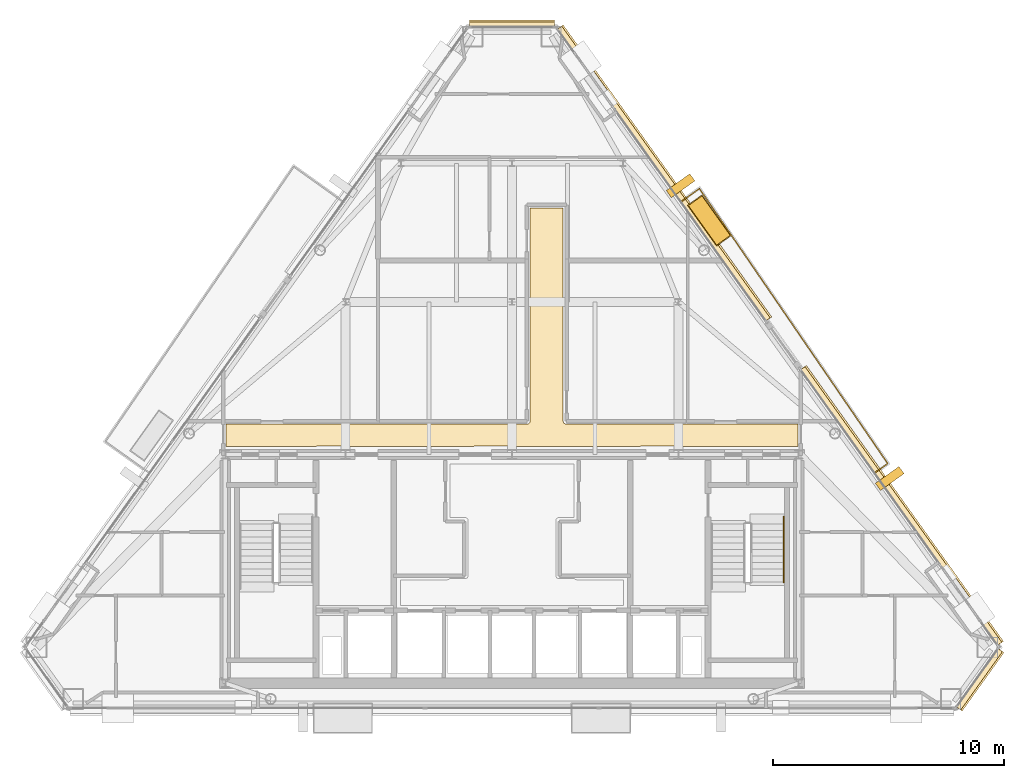
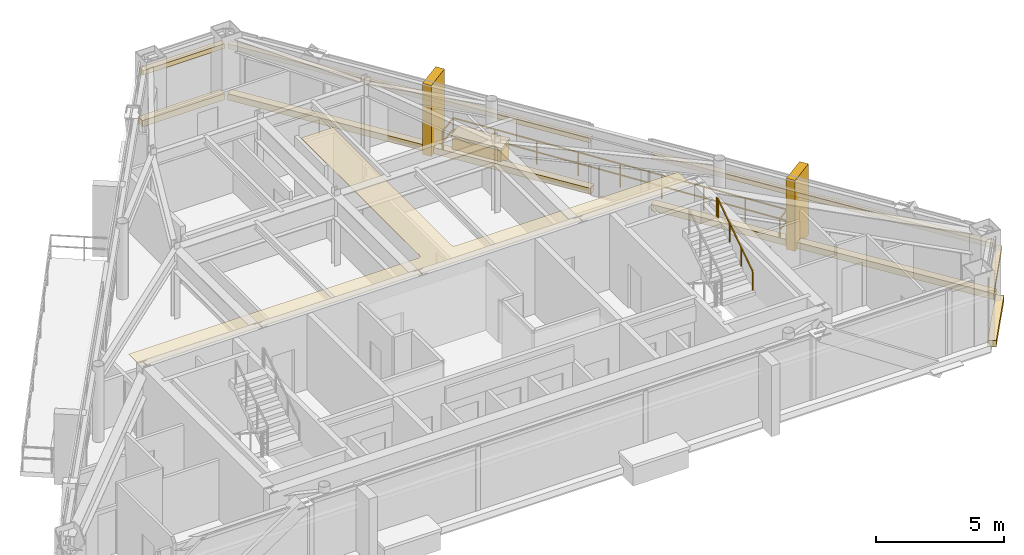
# One storey, part 12 of 12: 13 coverings, 2 railings.
"""IFC4 building model written with IfcOpenShell, lengths in metres."""

from ifc_helpers import new_model, si_unit, direction, frame, origin, origin_2d, place, context, subcontext, project, spatial, polyline, rectangle, outline, extrude, material, layer, layer_set, type_object, element, save


model = new_model("IFC4")

# Units and contexts
model_context = context("Model", 3, precision=1e-05, world=origin(), true_north=direction((0.0, 1.0)))
body_context = subcontext(model_context, "Body", "Model", "MODEL_VIEW")
ifc_project = project(units=[si_unit("LENGTHUNIT", "METRE"), si_unit("AREAUNIT", "SQUARE_METRE"), si_unit("VOLUMEUNIT", "CUBIC_METRE"), si_unit("PLANEANGLEUNIT", "RADIAN"), si_unit("MASSUNIT", "GRAM", prefix="KILO")], contexts=[model_context])

# Site, building, storey
site_placement = place(None, origin())
site = spatial("IfcSite", under=ifc_project, at=site_placement, CompositionType="ELEMENT")
building_placement = place(site_placement, origin())
building = spatial("IfcBuilding", under=site, at=building_placement, Name="Talgorran Terracotta Tower", CompositionType="ELEMENT")
storey_placement = place(building_placement, frame((0.0, 0.0, 281.39990234375)))
storey = spatial("IfcBuildingStorey", under=building, at=storey_placement, Name="L74", CompositionType="ELEMENT", Elevation=281.39990234375)

# Coverings
ifc_material_1 = material(Name="Kiln-Fired Terracotta Ochre Ceramic", Category="masonry")
ifc_layer_1 = layer(ifc_material_1, 0.179931640625, Name="COV_BAGUETTE_TERRACOTTA_SCREEN")
ifc_layer_set_1 = layer_set([ifc_layer_1], Name="Kiln-Fired Terracotta Ochre Ceramic")
covering_type_1 = type_object("IfcCoveringType", Name="COV_BAGUETTE_TERRACOTTA_SCREEN", PredefinedType="CLADDING", material=ifc_layer_set_1)
covering_1_placement = place(storey_placement, frame((20.2119140625, -13.916748046875, 2.41015625), z_axis=(0.0, 0.0, 1.0), x_axis=(0.581256971997, 0.813720057824, 0.0)))
element("IfcCovering", 1, at=covering_1_placement, inside=storey, type_object=covering_type_1, Name="L74 Terracotta Baguette Solar Screen Assembly F2", PredefinedType="CLADDING", context=body_context, shape_type="SweptSolid", body=[
    extrude(rectangle(XDim=3.093994140625, YDim=0.260009765625, at=origin_2d()), origin(), (0.0, 0.0, 1.0), 0.219970703125),
])
covering_2_placement = place(storey_placement, frame((16.831298828125, -6.4365234375, 2.41015625), z_axis=(0.0, 0.0, 1.0), x_axis=(-0.581242769814, 0.813730202548, 0.0)))
element("IfcCovering", 2, at=covering_2_placement, inside=storey, type_object=covering_type_1, Name="L74 Terracotta Baguette Solar Screen Assembly F40", PredefinedType="CLADDING", context=body_context, shape_type="SweptSolid", body=[
    extrude(rectangle(XDim=14.6455078125, YDim=0.260009765625, at=origin_2d()), origin(), (0.0, 0.0, 1.0), 0.219970703125),
])
covering_3_placement = place(storey_placement, frame((6.556396484375, 7.947998046875, 2.41015625), z_axis=(0.0, 0.0, 1.0), x_axis=(-0.581242769814, 0.813730202548, 0.0)))
element("IfcCovering", 3, at=covering_3_placement, inside=storey, type_object=covering_type_1, Name="L74 Terracotta Baguette Solar Screen Assembly F41", PredefinedType="CLADDING", context=body_context, shape_type="SweptSolid", body=[
    extrude(rectangle(XDim=15.509033203125, YDim=0.260009765625, at=origin_2d()), origin(), (0.0, 0.0, 1.0), 0.219970703125),
])
covering_4_placement = place(storey_placement, frame((0.0, 14.389404296875, 2.41015625), z_axis=(0.0, 0.0, 1.0), x_axis=(-1.0, 0.0, 0.0)))
element("IfcCovering", 4, at=covering_4_placement, inside=storey, type_object=covering_type_1, Name="L74 Terracotta Baguette Solar Screen Assembly F4", PredefinedType="CLADDING", context=body_context, shape_type="SweptSolid", body=[
    extrude(rectangle(XDim=3.66748046875, YDim=0.260009765625, at=origin_2d()), origin(), (0.0, 0.0, 1.0), 0.219970703125),
])
ifc_material_2 = material(Name="Mineral Fibre Acoustic Tile")
ifc_layer_2 = layer(ifc_material_2, 0.02490234375, Name="COV_CEIL_ACOUSTIC")
ifc_layer_set_2 = layer_set([ifc_layer_2], Name="Mineral Fibre Acoustic Tile")
covering_type_2 = type_object("IfcCoveringType", Name="COV_CEIL_ACOUSTIC", PredefinedType="CEILING", material=ifc_layer_set_2)
covering_5_placement = place(storey_placement, frame((0.0, 0.0, 3.22998046875)))
element("IfcCovering", 5, at=covering_5_placement, inside=storey, type_object=covering_type_2, Name="CEIL-L74-2", PredefinedType="CEILING", context=body_context, shape_type="SweptSolid", body=[
    extrude(outline(polyline([(-12.364990234375, -2.885009765625), (0.64990234375, -2.885009765625), (0.66162109375, -2.884521484375), (0.67333984375, -2.8828125), (0.6845703125, -2.8798828125), (0.69287109375, -2.87744140625), (0.7041015625, -2.87353515625), (0.714599609375, -2.868408203125), (0.724853515625, -2.8623046875), (0.734375, -2.85546875), (0.742919921875, -2.847412109375), (0.7509765625, -2.8388671875), (0.756591796875, -2.83203125), (0.763671875, -2.822509765625), (0.769775390625, -2.8125), (0.774658203125, -2.8017578125), (0.77880859375, -2.79052734375), (0.781494140625, -2.779296875), (0.783203125, -2.767578125), (0.783935546875, -2.755615234375), (0.784912109375, 6.465087890625), (2.215087890625, 6.465087890625), (2.215087890625, -2.75), (2.215576171875, -2.76171875), (2.21728515625, -2.773193359375), (2.22021484375, -2.78466796875), (2.22265625, -2.79296875), (2.2265625, -2.803955078125), (2.231689453125, -2.814697265625), (2.237548828125, -2.82470703125), (2.24462890625, -2.834228515625), (2.25244140625, -2.843017578125), (2.26123046875, -2.850830078125), (2.26806640625, -2.8564453125), (2.277587890625, -2.863525390625), (2.28759765625, -2.86962890625), (2.29833984375, -2.874755859375), (2.309326171875, -2.878662109375), (2.32080078125, -2.881591796875), (2.33251953125, -2.88330078125), (2.34423828125, -2.8837890625), (12.364990234375, -2.885009765625), (12.364990234375, -3.844970703125), (7.432861328125, -3.844970703125), (6.968017578125, -3.843017578125), (6.967529296875, -3.843017578125), (0.232666015625, -3.844970703125), (-0.23193359375, -3.843017578125), (-0.232421875, -3.843017578125), (-6.96728515625, -3.844970703125), (-7.431884765625, -3.843017578125), (-7.4326171875, -3.843017578125), (-12.364990234375, -3.844970703125), (-12.364990234375, -2.885009765625)])), origin(), (0.0, 0.0, 1.0), 0.02001953125),
])
ifc_material_3 = material(Name="Honed Limestone and Terracotta Planter", Category="masonry")
ifc_layer_3 = layer(ifc_material_3, 0.1201171875, Name="COV_PLANTER_BOX")
ifc_layer_set_3 = layer_set([ifc_layer_3], Name="Honed Limestone and Terracotta Planter")
covering_type_3 = type_object("IfcCoveringType", Name="COV_PLANTER_BOX", PredefinedType="CLADDING", material=ifc_layer_set_3)
covering_6_placement = place(storey_placement, frame((8.53662109375, 5.92431640625, -0.02001953125), z_axis=(0.0, 0.0, 1.0), x_axis=(-0.581256971997, 0.813720057824, 0.0)))
element("IfcCovering", 6, at=covering_6_placement, inside=storey, type_object=covering_type_3, Name="L74 Staggered Balcony Planter Box BAL-NE", PredefinedType="CLADDING", context=body_context, shape_type="SweptSolid", body=[
    extrude(rectangle(XDim=2.10009765625, YDim=0.719970703125, at=origin_2d()), origin(), (0.0, 0.0, 1.0), 0.860107421875),
])
ifc_material_4 = material(Name="Kiln-Fired Terracotta Planter Rim", Category="masonry")
ifc_layer_4 = layer(ifc_material_4, 0.10009765625, Name="COV_PLANTER_RIM")
ifc_layer_set_4 = layer_set([ifc_layer_4], Name="Kiln-Fired Terracotta Planter Rim")
covering_type_4 = type_object("IfcCoveringType", Name="COV_PLANTER_RIM", PredefinedType="CLADDING", material=ifc_layer_set_4)
covering_7_placement = place(storey_placement, frame((8.53662109375, 5.92431640625, 0.800048828125), z_axis=(0.0, 0.0, 1.0), x_axis=(-0.581256971997, 0.813720057824, 0.0)))
element("IfcCovering", 7, at=covering_7_placement, inside=storey, type_object=covering_type_4, Name="L74 Balcony Planter Terracotta Rim BAL-NE", PredefinedType="CLADDING", context=body_context, shape_type="SweptSolid", body=[
    extrude(rectangle(XDim=2.179931640625, YDim=0.780029296875, at=origin_2d()), origin(), (0.0, 0.0, 1.0), 0.1201171875),
])
ifc_material_5 = material(Name="Honed Limestone Cladding", Category="masonry")
ifc_layer_5 = layer(ifc_material_5, 0.094970703125, Name="COV_PORTAL_LIME")
ifc_layer_set_5 = layer_set([ifc_layer_5], Name="Honed Limestone Cladding")
covering_type_5 = type_object("IfcCoveringType", Name="COV_PORTAL_LIME", PredefinedType="CLADDING", material=ifc_layer_set_5)
covering_8_placement = place(storey_placement, frame((20.244384765625, -13.93994140625, -0.0400390625), z_axis=(0.0, 0.0, 1.0), x_axis=(0.581256971997, 0.813720057824, 0.0)))
element("IfcCovering", 8, at=covering_8_placement, inside=storey, type_object=covering_type_5, Name="L74 Striped Postmodern Portal Cladding Band F2", PredefinedType="CLADDING", context=body_context, shape_type="SweptSolid", body=[
    extrude(rectangle(XDim=3.114013671875, YDim=0.340087890625, at=origin_2d()), origin(), (0.0, 0.0, 1.0), 0.300048828125),
])
covering_9_placement = place(storey_placement, frame((16.864013671875, -6.4130859375, -0.0400390625), z_axis=(0.0, 0.0, 1.0), x_axis=(-0.581242769814, 0.813730202548, 0.0)))
element("IfcCovering", 9, at=covering_9_placement, inside=storey, type_object=covering_type_5, Name="L74 Striped Postmodern Portal Cladding Band F40", PredefinedType="CLADDING", context=body_context, shape_type="SweptSolid", body=[
    extrude(rectangle(XDim=14.66552734375, YDim=0.340087890625, at=origin_2d()), origin(), (0.0, 0.0, 1.0), 0.300048828125),
])
covering_10_placement = place(storey_placement, frame((6.5888671875, 7.97119140625, -0.0400390625), z_axis=(0.0, 0.0, 1.0), x_axis=(-0.581242769814, 0.813730202548, 0.0)))
element("IfcCovering", 10, at=covering_10_placement, inside=storey, type_object=covering_type_5, Name="L74 Striped Postmodern Portal Cladding Band F41", PredefinedType="CLADDING", context=body_context, shape_type="SweptSolid", body=[
    extrude(rectangle(XDim=15.529052734375, YDim=0.340087890625, at=origin_2d()), origin(), (0.0, 0.0, 1.0), 0.300048828125),
])
covering_11_placement = place(storey_placement, frame((0.0, 14.429443359375, -0.0400390625), z_axis=(0.0, 0.0, 1.0), x_axis=(-1.0, 0.0, 0.0)))
element("IfcCovering", 11, at=covering_11_placement, inside=storey, type_object=covering_type_5, Name="L74 Striped Postmodern Portal Cladding Band F4", PredefinedType="CLADDING", context=body_context, shape_type="SweptSolid", body=[
    extrude(rectangle(XDim=3.6875, YDim=0.340087890625, at=origin_2d()), origin(), (0.0, 0.0, 1.0), 0.300048828125),
])
covering_12_placement = place(storey_placement, frame((7.295166015625, 7.429931640625, -0.050048828125), z_axis=(0.0, 0.0, 1.0), x_axis=(-0.581256971997, 0.813720057824, 0.0)))
element("IfcCovering", 12, at=covering_12_placement, inside=storey, type_object=covering_type_5, Name="L74 White Striped Portal Fin F3-2", PredefinedType="CLADDING", context=body_context, shape_type="SweptSolid", body=[
    extrude(rectangle(XDim=0.3798828125, YDim=1.25, at=origin_2d()), origin(), (0.0, 0.0, 1.0), 3.3701171875),
])
ifc_material_6 = material(Name="Kiln-Fired Terracotta Cladding", Category="masonry")
ifc_layer_6 = layer(ifc_material_6, 0.090087890625, Name="COV_PORTAL_TERRA")
ifc_layer_set_6 = layer_set([ifc_layer_6], Name="Kiln-Fired Terracotta Cladding")
covering_type_6 = type_object("IfcCoveringType", Name="COV_PORTAL_TERRA", PredefinedType="CLADDING", material=ifc_layer_set_6)
covering_13_placement = place(storey_placement, frame((16.34375, -5.23779296875, -0.050048828125), z_axis=(0.0, 0.0, 1.0), x_axis=(-0.581256971997, 0.813720057824, 0.0)))
element("IfcCovering", 13, at=covering_13_placement, inside=storey, type_object=covering_type_6, Name="L74 Terracotta Striped Portal Fin F3-1", PredefinedType="CLADDING", context=body_context, shape_type="SweptSolid", body=[
    extrude(rectangle(XDim=0.3798828125, YDim=1.25, at=origin_2d()), origin(), (0.0, 0.0, 1.0), 3.3701171875),
])

# Railings
ifc_material_7 = material(Name="Laminated Glass and Stainless Steel 316", Category="steel")
railing_type_1 = type_object("IfcRailingType", Name="RL_BALCONY_1150", PredefinedType="BALUSTRADE", material=ifc_material_7)
railing_1_placement = place(storey_placement, frame((15.69921875, -4.9892578125, 0.0)))
element("IfcRailing", 14, at=railing_1_placement, inside=storey, type_object=railing_type_1, Name="RL-L74-BAL-BAL-NE", PredefinedType="BALUSTRADE", context=body_context, shape_type="SweptSolid", body=[
    extrude(rectangle(XDim=0.048095703125, YDim=0.048095703125, at=origin_2d()), frame((0.0, 0.0, 1.1259765625), z_axis=(0.813685304824, 0.581305620748, 0.0), x_axis=(-0.581305620748, 0.813685304824, 0.0)), (0.0, 0.0, 1.0), 0.68505859375),
    extrude(rectangle(XDim=0.048095703125, YDim=0.048095703125, at=origin_2d()), frame((0.0, 0.0, 0.597900390625), z_axis=(0.813685304824, 0.581305620748, 0.0), x_axis=(-0.581305620748, 0.813685304824, 0.0)), (0.0, 0.0, 1.0), 0.68505859375),
    extrude(rectangle(XDim=0.048095703125, YDim=0.048095703125, at=origin_2d()), frame((0.557373046875, 0.398193359375, 1.1259765625), z_axis=(-0.565184061271, 0.824964833726, 0.0), x_axis=(-0.824964833726, -0.565184061271, 0.0)), (0.0, 0.0, 1.0), 14.41650390625),
    extrude(rectangle(XDim=0.048095703125, YDim=0.048095703125, at=origin_2d()), frame((0.557373046875, 0.398193359375, 0.597900390625), z_axis=(-0.565184061271, 0.824964833726, 0.0), x_axis=(-0.824964833726, -0.565184061271, 0.0)), (0.0, 0.0, 1.0), 14.41650390625),
    extrude(rectangle(XDim=0.048095703125, YDim=0.048095703125, at=origin_2d()), frame((-7.590576171875, 12.291259765625, 1.1259765625), z_axis=(-0.813682325233, -0.581309791422, 0.0), x_axis=(0.581309791422, -0.813682325233, 0.0)), (0.0, 0.0, 1.0), 0.967529296875),
    extrude(rectangle(XDim=0.048095703125, YDim=0.048095703125, at=origin_2d()), frame((-7.590576171875, 12.291259765625, 0.597900390625), z_axis=(-0.813682325233, -0.581309791422, 0.0), x_axis=(0.581309791422, -0.813682325233, 0.0)), (0.0, 0.0, 1.0), 0.967529296875),
    extrude(rectangle(XDim=0.0419921875, YDim=0.0419921875, at=origin_2d()), origin(), (0.0, 0.0, 1.0), 1.101806640625),
    extrude(rectangle(XDim=0.0419921875, YDim=0.0419921875, at=origin_2d()), frame((0.557373046875, 0.398193359375, 0.0)), (0.0, 0.0, 1.0), 1.101806640625),
    extrude(rectangle(XDim=0.0419921875, YDim=0.0419921875, at=origin_2d()), frame((-0.461181640625, 1.884765625, 0.0)), (0.0, 0.0, 1.0), 1.101806640625),
    extrude(rectangle(XDim=0.0419921875, YDim=0.0419921875, at=origin_2d()), frame((-1.4794921875, 3.37158203125, 0.0)), (0.0, 0.0, 1.0), 1.101806640625),
    extrude(rectangle(XDim=0.0419921875, YDim=0.0419921875, at=origin_2d()), frame((-2.498046875, 4.858154296875, 0.0)), (0.0, 0.0, 1.0), 1.101806640625),
    extrude(rectangle(XDim=0.0419921875, YDim=0.0419921875, at=origin_2d()), frame((-3.5166015625, 6.3447265625, 0.0)), (0.0, 0.0, 1.0), 1.101806640625),
    extrude(rectangle(XDim=0.0419921875, YDim=0.0419921875, at=origin_2d()), frame((-4.53515625, 7.831298828125, 0.0)), (0.0, 0.0, 1.0), 1.101806640625),
    extrude(rectangle(XDim=0.0419921875, YDim=0.0419921875, at=origin_2d()), frame((-5.5537109375, 9.31787109375, 0.0)), (0.0, 0.0, 1.0), 1.101806640625),
    extrude(rectangle(XDim=0.0419921875, YDim=0.0419921875, at=origin_2d()), frame((-6.572021484375, 10.8046875, 0.0)), (0.0, 0.0, 1.0), 1.101806640625),
    extrude(rectangle(XDim=0.0419921875, YDim=0.0419921875, at=origin_2d()), frame((-7.590576171875, 12.291259765625, 0.0)), (0.0, 0.0, 1.0), 1.101806640625),
    extrude(rectangle(XDim=0.0419921875, YDim=0.0419921875, at=origin_2d()), frame((-8.3779296875, 11.728759765625, 0.0)), (0.0, 0.0, 1.0), 1.101806640625),
])
ifc_material_8 = material(Name="Steel S355 (300PLUS)", Category="steel")
railing_type_2 = type_object("IfcRailingType", Name="RL_HANDRAIL_920", PredefinedType="HANDRAIL", material=ifc_material_8)
railing_2_placement = place(storey_placement, frame((11.75, -9.719970703125, 1.97998046875)))
element("IfcRailing", 15, at=railing_2_placement, inside=storey, type_object=railing_type_2, Name="L74 ST-02 stair handrail 2", PredefinedType="HANDRAIL", context=body_context, shape_type="SweptSolid", body=[
    extrude(rectangle(XDim=0.048095703125, YDim=0.048095703125, at=origin_2d()), frame((0.0, 0.0, 0.89599609375), z_axis=(0.0, 0.832038719335, 0.554717558338), x_axis=(-1.0, 0.0, 0.0)), (0.0, 0.0, 1.0), 3.244873046875),
    extrude(rectangle(XDim=0.048095703125, YDim=0.048095703125, at=origin_2d()), frame((0.0, 2.699951171875, 2.69580078125), z_axis=(0.0, 1.0, 0.0), x_axis=(-1.0, 0.0, 0.0)), (0.0, 0.0, 1.0), 0.1201171875),
    extrude(rectangle(XDim=0.0419921875, YDim=0.0419921875, at=origin_2d()), origin(), (0.0, 0.0, 1.0), 0.871826171875),
    extrude(rectangle(XDim=0.0419921875, YDim=0.0419921875, at=origin_2d()), frame((0.0, 0.89990234375, 0.60009765625)), (0.0, 0.0, 1.0), 0.871826171875),
    extrude(rectangle(XDim=0.0419921875, YDim=0.0419921875, at=origin_2d()), frame((0.0, 1.800048828125, 1.199951171875)), (0.0, 0.0, 1.0), 0.871826171875),
    extrude(rectangle(XDim=0.0419921875, YDim=0.0419921875, at=origin_2d()), frame((0.0, 2.699951171875, 1.800048828125)), (0.0, 0.0, 1.0), 0.871826171875),
    extrude(rectangle(XDim=0.0419921875, YDim=0.0419921875, at=origin_2d()), frame((0.0, 2.820068359375, 1.800048828125)), (0.0, 0.0, 1.0), 0.871826171875),
])

save(model, "model.ifc")
